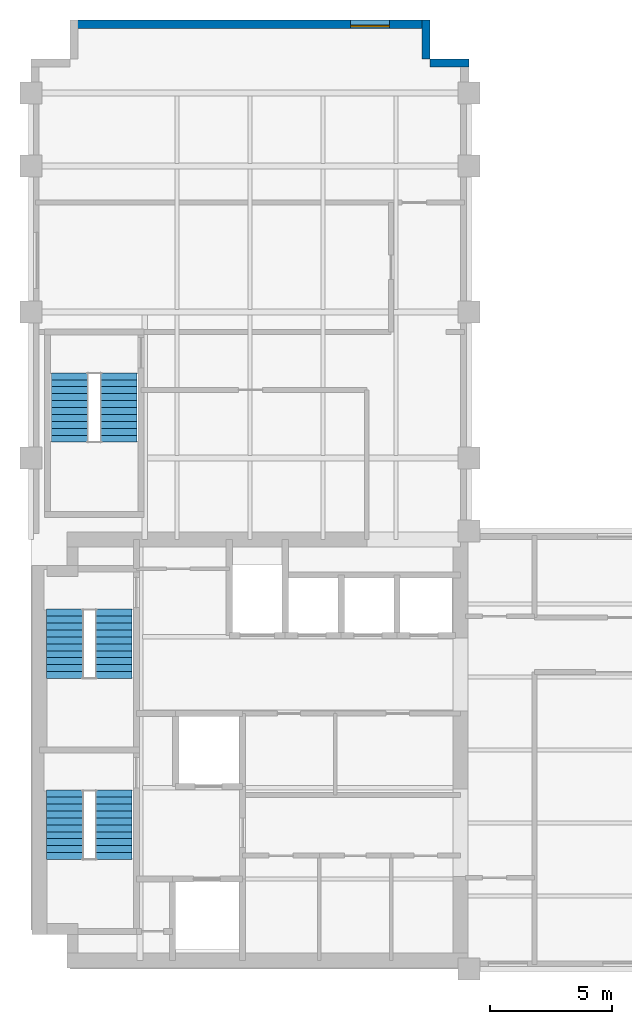
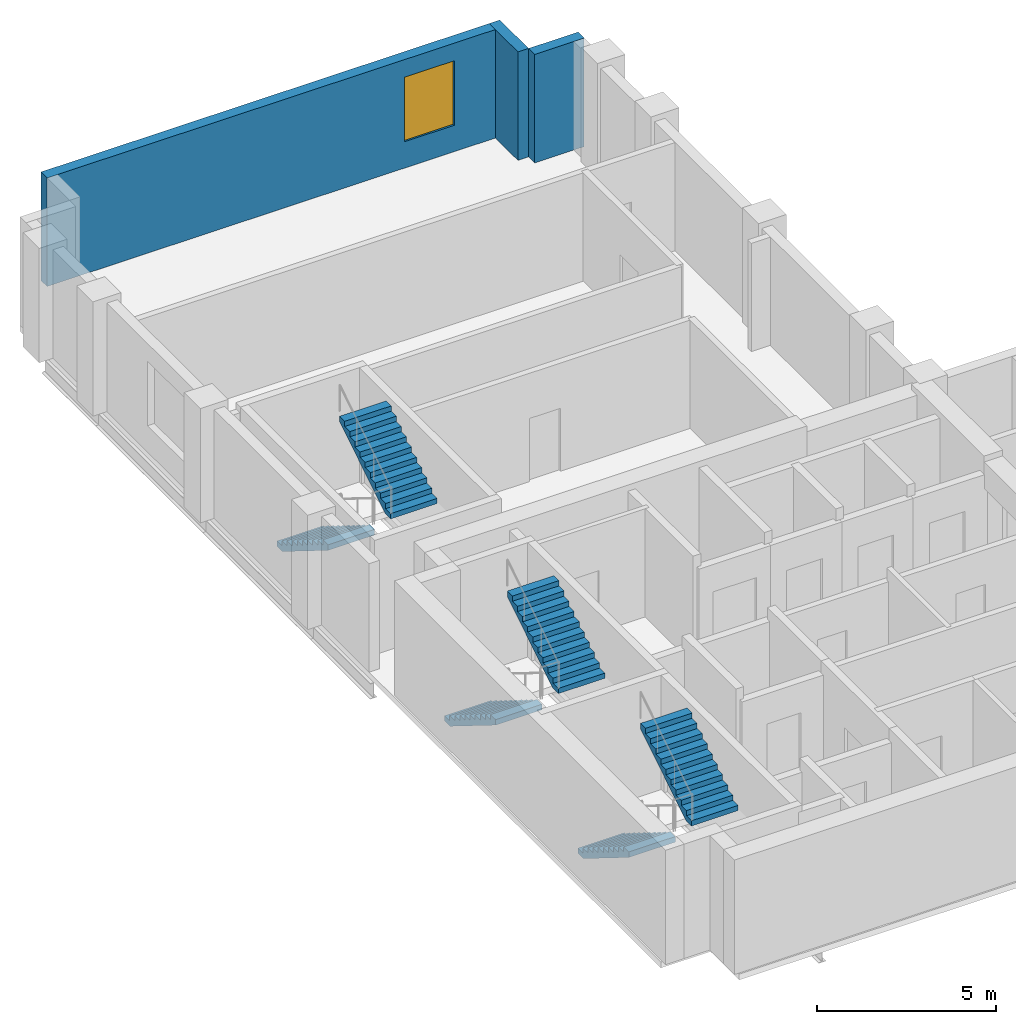
# One storey, part 5 of 6: 6 stair flights, 3 walls, 1 window, 1 opening, 3 elements without a shape of their own.
"""IFC4 building model written with IfcOpenShell, lengths in metres."""

from ifc_helpers import new_model, si_unit, direction, frame, frame_2d, origin, place, context, subcontext, project, spatial, polyline, rectangle, outline, extrude, material, layer, layer_set, type_object, element, fill, aggregate, save


model = new_model("IFC4")

# Units and contexts
model_context = context("Model", 3, precision=1e-05, world=origin(), true_north=direction((0.0, 1.0)))
body_context = subcontext(model_context, "Body", "Model", "MODEL_VIEW")
ifc_project = project(units=[si_unit("LENGTHUNIT", "METRE"), si_unit("AREAUNIT", "SQUARE_METRE"), si_unit("VOLUMEUNIT", "CUBIC_METRE"), si_unit("PLANEANGLEUNIT", "RADIAN"), si_unit("MASSUNIT", "GRAM", prefix="KILO")], contexts=[model_context])

# Site, building, storey
site_placement = place(None, origin())
site = spatial("IfcSite", under=ifc_project, at=site_placement, CompositionType="ELEMENT")
building_placement = place(site_placement, origin())
building = spatial("IfcBuilding", under=site, at=building_placement, Name="Mawjdan Bourse Tower", CompositionType="ELEMENT")
storey_placement = place(building_placement, frame((0.0, 0.0, 207.300048828125)))
storey = spatial("IfcBuildingStorey", under=building, at=storey_placement, Name="L50", CompositionType="ELEMENT", Elevation=207.300048828125)

# Walls
ifc_material_1 = material(Name="Brick Masonry Buff", Category="masonry")
ifc_layer = layer(ifc_material_1, 0.340087890625)
ifc_layer_set = layer_set([ifc_layer], Name="Brick Masonry Buff")
wall_type = type_object("IfcWallType", Name="WL-BRK-SPN-340", PredefinedType="STANDARD", material=ifc_layer_set)
for number, where, z_axis, x_axis, name in (
    (1, (24.0, 40.22998046875, 0.0), (0.0, 0.0, 1.0), (-1.0, 0.0, 0.0), "L50 Exterior Brick Wall 9"),
    (2, (22.22998046875, 40.39990234375, 0.0), (0.0, 0.0, 1.0), (0.0, 1.0, 0.0), "L50 Exterior Brick Wall 10"),
):
    element("IfcWall", number, at=place(storey_placement, frame(where, z_axis=z_axis, x_axis=x_axis)), inside=storey, type_object=wall_type, Name=name, PredefinedType="STANDARD", context=body_context, shape_type="SweptSolid", body=[
        extrude(rectangle(XDim=1.60009765625, YDim=0.340087890625, at=frame_2d((0.800048828125, 0.0))), origin(), (0.0, 0.0, 1.0), 3.699951171875),
    ])

# Wall, opening, window
wall_placement = place(storey_placement, frame((22.39990234375, 41.830078125, 0.0), z_axis=(0.0, 0.0, 1.0), x_axis=(-1.0, 0.0, 0.0)))
wall = element("IfcWall", 3, at=wall_placement, inside=storey, type_object=wall_type, Name="L50 Exterior Brick Wall 11", PredefinedType="STANDARD", context=body_context, shape_type="SweptSolid", body=[
    extrude(rectangle(XDim=14.7998046875, YDim=0.340087890625, at=frame_2d((7.39990234375, 0.0))), origin(), (0.0, 0.0, 1.0), 3.699951171875),
])
opening_placement = place(wall_placement, frame((1.666748046875, 0.0, 0.89990234375)))
opening = element("IfcOpeningElement", 4, at=opening_placement, cuts=wall, Name="Opening W-L50-07", PredefinedType="OPENING", context=body_context, shape_type="SweptSolid", body=[
    extrude(rectangle(XDim=1.60009765625, YDim=2.199951171875, at=frame_2d((0.800048828125, 1.10009765625))), frame((0.0, 0.18017578125, 0.0), z_axis=(0.0, -1.0, 0.0), x_axis=(1.0, 0.0, 0.0)), (0.0, 0.0, 1.0), 0.360107421875),
])
ifc_material_2 = material(Name="Solar-Control Clear Double Glazing", Category="glass")
window_type = type_object("IfcWindowType", Name="WN-Z3-1600", PartitioningType="SINGLE_PANEL", PredefinedType="WINDOW", material=ifc_material_2)
window_placement = place(opening_placement, origin())
window = element("IfcWindow", 5, at=window_placement, inside=storey, type_object=window_type, Name="L50 Deep-Set Masonry Window W-L50-07", OverallHeight=2.199951171875, OverallWidth=1.60009765625, PartitioningType="SINGLE_PANEL", PredefinedType="WINDOW", context=body_context, shape_type="SweptSolid", body=[
    extrude(rectangle(XDim=1.60009765625, YDim=2.199951171875, at=frame_2d((0.800048828125, 1.10009765625))), frame((0.0, 0.110107421875, 0.0), z_axis=(0.0, -1.0, 0.0), x_axis=(1.0, 0.0, 0.0)), (0.0, 0.0, 1.0), 0.06005859375),
])
fill(opening, window)

# Stair, stair flights
ifc_material_3 = material(Name="Concrete C50/60", Category="concrete")
stair_type = type_object("IfcStairType", Name="STR-CORE-1500", PredefinedType="HALF_TURN_STAIR", material=ifc_material_3)
stair_1_placement = place(storey_placement, origin())
stair_1 = element("IfcStair", 6, at=stair_1_placement, inside=storey, type_object=stair_type, Name="L50 Exit Stair 1 (Core South-West)", PredefinedType="HALF_TURN_STAIR")
stair_flight_type = type_object("IfcStairFlightType", Name="SFL-RC-1500", PredefinedType="STRAIGHT", material=ifc_material_3)
stair_flight_1_placement = place(storey_placement, frame((7.389892578125, 10.35009765625, 0.0), z_axis=(0.0, 0.0, 1.0), x_axis=(0.0, -1.0, 0.0)))
stair_flight_1 = element("IfcStairFlight", 7, at=stair_flight_1_placement, type_object=stair_flight_type, Name="ST1-L50 flight 1", NumberOfRisers=11, NumberOfTreads=10, PredefinedType="STRAIGHT", RiserHeight=0.177273, TreadLength=0.285, context=body_context, shape_type="SweptSolid", body=[
    extrude(outline(polyline([(0.0, 0.0), (0.0, 0.17724609375), (0.284912109375, 0.17724609375), (0.284912109375, 0.3544921875), (0.570068359375, 0.3544921875), (0.570068359375, 0.53173828125), (0.85498046875, 0.53173828125), (0.85498046875, 0.708984375), (1.139892578125, 0.708984375), (1.139892578125, 0.886474609375), (1.425048828125, 0.886474609375), (1.425048828125, 1.063720703125), (1.7099609375, 1.063720703125), (1.7099609375, 1.240966796875), (1.9951171875, 1.240966796875), (1.9951171875, 1.418212890625), (2.280029296875, 1.418212890625), (2.280029296875, 1.595458984375), (2.56494140625, 1.595458984375), (2.56494140625, 1.772705078125), (2.85009765625, 1.772705078125), (2.85009765625, 1.949951171875), (2.85009765625, 1.58447265625), (0.302734375, 0.0), (0.0, 0.0)])), frame((0.0, 0.75, 0.0), z_axis=(0.0, -1.0, 0.0), x_axis=(1.0, 0.0, 0.0)), (0.0, 0.0, 1.0), 1.5),
])
stair_flight_2_placement = place(storey_placement, frame((9.409912109375, 7.5, 1.949951171875), z_axis=(0.0, 0.0, 1.0), x_axis=(0.0, 1.0, 0.0)))
stair_flight_2 = element("IfcStairFlight", 8, at=stair_flight_2_placement, type_object=stair_flight_type, Name="ST1-L50 flight 2", NumberOfRisers=11, NumberOfTreads=10, PredefinedType="STRAIGHT", RiserHeight=0.177273, TreadLength=0.285, context=body_context, shape_type="SweptSolid", body=[
    extrude(outline(polyline([(0.0, 0.0), (0.0, 0.17724609375), (0.284912109375, 0.17724609375), (0.284912109375, 0.3544921875), (0.570068359375, 0.3544921875), (0.570068359375, 0.53173828125), (0.85498046875, 0.53173828125), (0.85498046875, 0.708984375), (1.139892578125, 0.708984375), (1.139892578125, 0.886474609375), (1.425048828125, 0.886474609375), (1.425048828125, 1.063720703125), (1.7099609375, 1.063720703125), (1.7099609375, 1.240966796875), (1.9951171875, 1.240966796875), (1.9951171875, 1.418212890625), (2.280029296875, 1.418212890625), (2.280029296875, 1.595458984375), (2.56494140625, 1.595458984375), (2.56494140625, 1.772705078125), (2.85009765625, 1.772705078125), (2.85009765625, 1.949951171875), (2.85009765625, 1.58447265625), (0.302734375, 0.0), (0.0, 0.0)])), frame((0.0, 0.75, 0.0), z_axis=(0.0, -1.0, 0.0), x_axis=(1.0, 0.0, 0.0)), (0.0, 0.0, 1.0), 1.5),
])
aggregate(stair_1, [stair_flight_1, stair_flight_2])

stair_2_placement = place(storey_placement, origin())
stair_2 = element("IfcStair", 9, at=stair_2_placement, inside=storey, type_object=stair_type, Name="L50 Exit Stair 2 (Core North-West)", PredefinedType="HALF_TURN_STAIR")
stair_flight_3_placement = place(storey_placement, frame((7.389892578125, 17.7900390625, 0.0), z_axis=(0.0, 0.0, 1.0), x_axis=(0.0, -1.0, 0.0)))
stair_flight_3 = element("IfcStairFlight", 10, at=stair_flight_3_placement, type_object=stair_flight_type, Name="ST2-L50 flight 1", NumberOfRisers=11, NumberOfTreads=10, PredefinedType="STRAIGHT", RiserHeight=0.177273, TreadLength=0.285, context=body_context, shape_type="SweptSolid", body=[
    extrude(outline(polyline([(0.0, 0.0), (0.0, 0.17724609375), (0.284912109375, 0.17724609375), (0.284912109375, 0.3544921875), (0.570068359375, 0.3544921875), (0.570068359375, 0.53173828125), (0.85498046875, 0.53173828125), (0.85498046875, 0.708984375), (1.139892578125, 0.708984375), (1.139892578125, 0.886474609375), (1.425048828125, 0.886474609375), (1.425048828125, 1.063720703125), (1.7099609375, 1.063720703125), (1.7099609375, 1.240966796875), (1.9951171875, 1.240966796875), (1.9951171875, 1.418212890625), (2.280029296875, 1.418212890625), (2.280029296875, 1.595458984375), (2.56494140625, 1.595458984375), (2.56494140625, 1.772705078125), (2.85009765625, 1.772705078125), (2.85009765625, 1.949951171875), (2.85009765625, 1.58447265625), (0.302734375, 0.0), (0.0, 0.0)])), frame((0.0, 0.75, 0.0), z_axis=(0.0, -1.0, 0.0), x_axis=(1.0, 0.0, 0.0)), (0.0, 0.0, 1.0), 1.5),
])
stair_flight_4_placement = place(storey_placement, frame((9.409912109375, 14.93994140625, 1.949951171875), z_axis=(0.0, 0.0, 1.0), x_axis=(0.0, 1.0, 0.0)))
stair_flight_4 = element("IfcStairFlight", 11, at=stair_flight_4_placement, type_object=stair_flight_type, Name="ST2-L50 flight 2", NumberOfRisers=11, NumberOfTreads=10, PredefinedType="STRAIGHT", RiserHeight=0.177273, TreadLength=0.285, context=body_context, shape_type="SweptSolid", body=[
    extrude(outline(polyline([(0.0, 0.0), (0.0, 0.17724609375), (0.284912109375, 0.17724609375), (0.284912109375, 0.3544921875), (0.570068359375, 0.3544921875), (0.570068359375, 0.53173828125), (0.85498046875, 0.53173828125), (0.85498046875, 0.708984375), (1.139892578125, 0.708984375), (1.139892578125, 0.886474609375), (1.425048828125, 0.886474609375), (1.425048828125, 1.063720703125), (1.7099609375, 1.063720703125), (1.7099609375, 1.240966796875), (1.9951171875, 1.240966796875), (1.9951171875, 1.418212890625), (2.280029296875, 1.418212890625), (2.280029296875, 1.595458984375), (2.56494140625, 1.595458984375), (2.56494140625, 1.772705078125), (2.85009765625, 1.772705078125), (2.85009765625, 1.949951171875), (2.85009765625, 1.58447265625), (0.302734375, 0.0), (0.0, 0.0)])), frame((0.0, 0.75, 0.0), z_axis=(0.0, -1.0, 0.0), x_axis=(1.0, 0.0, 0.0)), (0.0, 0.0, 1.0), 1.5),
])
aggregate(stair_2, [stair_flight_3, stair_flight_4])

stair_3_placement = place(storey_placement, origin())
stair_3 = element("IfcStair", 12, at=stair_3_placement, inside=storey, type_object=stair_type, Name="L50 Exit Stair 3 (North Wing)", PredefinedType="HALF_TURN_STAIR")
stair_flight_5_placement = place(storey_placement, frame((7.590087890625, 27.5, 0.0), z_axis=(0.0, 0.0, 1.0), x_axis=(0.0, -1.0, 0.0)))
stair_flight_5 = element("IfcStairFlight", 13, at=stair_flight_5_placement, type_object=stair_flight_type, Name="ST3-L50 flight 1", NumberOfRisers=11, NumberOfTreads=10, PredefinedType="STRAIGHT", RiserHeight=0.177273, TreadLength=0.285, context=body_context, shape_type="SweptSolid", body=[
    extrude(outline(polyline([(0.0, 0.0), (0.0, 0.17724609375), (0.284912109375, 0.17724609375), (0.284912109375, 0.3544921875), (0.570068359375, 0.3544921875), (0.570068359375, 0.53173828125), (0.85498046875, 0.53173828125), (0.85498046875, 0.708984375), (1.139892578125, 0.708984375), (1.139892578125, 0.886474609375), (1.425048828125, 0.886474609375), (1.425048828125, 1.063720703125), (1.7099609375, 1.063720703125), (1.7099609375, 1.240966796875), (1.9951171875, 1.240966796875), (1.9951171875, 1.418212890625), (2.280029296875, 1.418212890625), (2.280029296875, 1.595458984375), (2.56494140625, 1.595458984375), (2.56494140625, 1.772705078125), (2.85009765625, 1.772705078125), (2.85009765625, 1.949951171875), (2.85009765625, 1.58447265625), (0.302734375, 0.0), (0.0, 0.0)])), frame((0.0, 0.75, 0.0), z_axis=(0.0, -1.0, 0.0), x_axis=(1.0, 0.0, 0.0)), (0.0, 0.0, 1.0), 1.5),
])
stair_flight_6_placement = place(storey_placement, frame((9.610107421875, 24.64990234375, 1.949951171875), z_axis=(0.0, 0.0, 1.0), x_axis=(0.0, 1.0, 0.0)))
stair_flight_6 = element("IfcStairFlight", 14, at=stair_flight_6_placement, type_object=stair_flight_type, Name="ST3-L50 flight 2", NumberOfRisers=11, NumberOfTreads=10, PredefinedType="STRAIGHT", RiserHeight=0.177273, TreadLength=0.285, context=body_context, shape_type="SweptSolid", body=[
    extrude(outline(polyline([(0.0, 0.0), (0.0, 0.17724609375), (0.284912109375, 0.17724609375), (0.284912109375, 0.3544921875), (0.570068359375, 0.3544921875), (0.570068359375, 0.53173828125), (0.85498046875, 0.53173828125), (0.85498046875, 0.708984375), (1.139892578125, 0.708984375), (1.139892578125, 0.886474609375), (1.425048828125, 0.886474609375), (1.425048828125, 1.063720703125), (1.7099609375, 1.063720703125), (1.7099609375, 1.240966796875), (1.9951171875, 1.240966796875), (1.9951171875, 1.418212890625), (2.280029296875, 1.418212890625), (2.280029296875, 1.595458984375), (2.56494140625, 1.595458984375), (2.56494140625, 1.772705078125), (2.85009765625, 1.772705078125), (2.85009765625, 1.949951171875), (2.85009765625, 1.58447265625), (0.302734375, 0.0), (0.0, 0.0)])), frame((0.0, 0.75, 0.0), z_axis=(0.0, -1.0, 0.0), x_axis=(1.0, 0.0, 0.0)), (0.0, 0.0, 1.0), 1.5),
])
aggregate(stair_3, [stair_flight_5, stair_flight_6])

save(model, "model.ifc")
